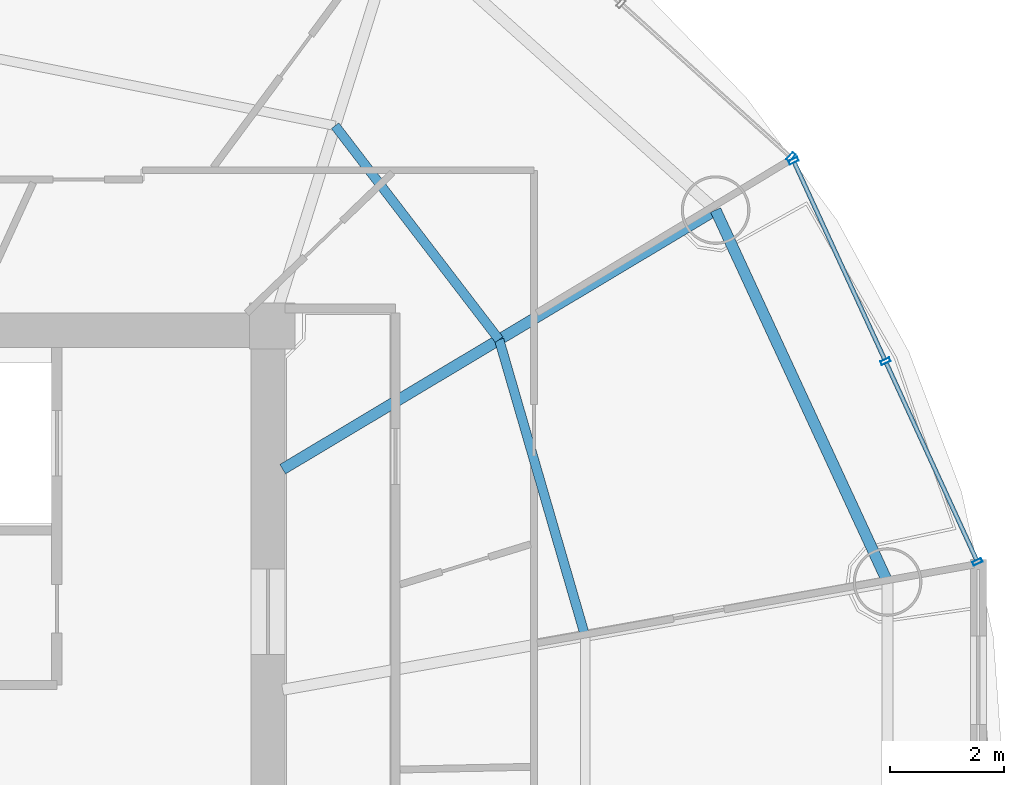
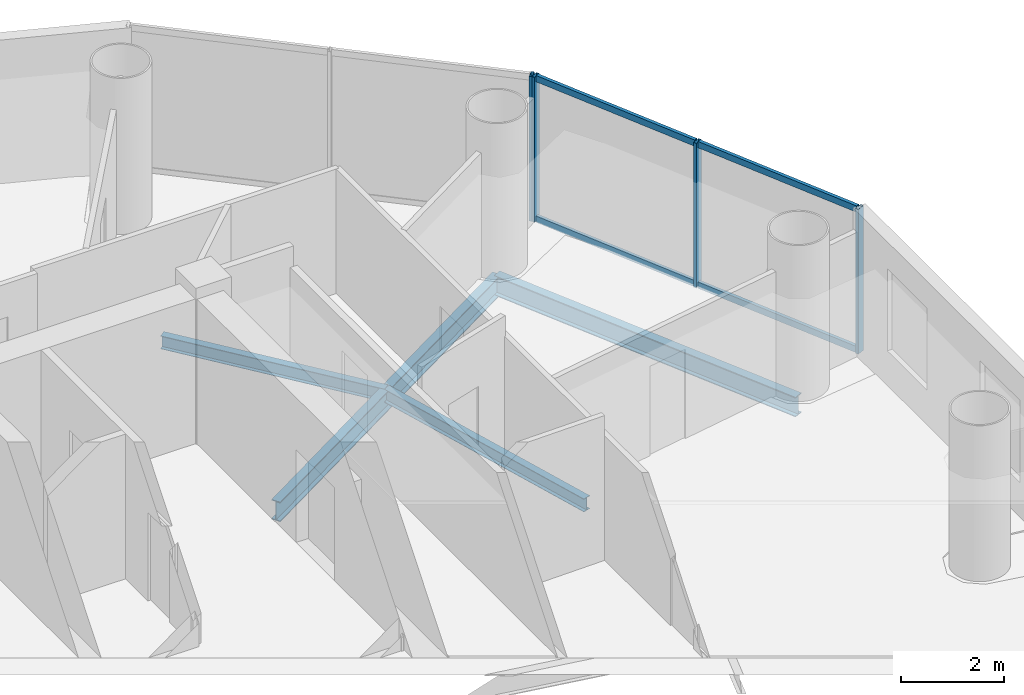
# One storey, part 13 of 26: 8 members, 4 beams, 2 elements without a shape of their own.
"""IFC4 building model written with IfcOpenShell, lengths in metres."""

from ifc_helpers import new_model, si_unit, direction, frame, origin, origin_2d, place, context, subcontext, project, spatial, hollow_rectangle, i_section, extrude, source, transform, mapped, material, material_profile, profile_set, type_object, element, aggregate, save


model = new_model("IFC4")

# Units and contexts
model_context = context("Model", 3, precision=1e-05, world=origin(), true_north=direction((-0.2419218956, 0.970295726276)))
body_context = subcontext(model_context, "Body", "Model", "MODEL_VIEW")
ifc_project = project(units=[si_unit("LENGTHUNIT", "METRE"), si_unit("AREAUNIT", "SQUARE_METRE"), si_unit("VOLUMEUNIT", "CUBIC_METRE"), si_unit("PLANEANGLEUNIT", "RADIAN"), si_unit("MASSUNIT", "GRAM", prefix="KILO")], contexts=[model_context])

# Site, building, storey
site_placement = place(None, origin())
site = spatial("IfcSite", under=ifc_project, at=site_placement, CompositionType="ELEMENT")
building_placement = place(site_placement, origin())
building = spatial("IfcBuilding", under=site, at=building_placement, Name="Cobrevalo Terracotta Tower", CompositionType="ELEMENT")
storey_placement = place(building_placement, frame((0.0, 0.0, 206.0)))
storey = spatial("IfcBuildingStorey", under=building, at=storey_placement, Name="L54", CompositionType="ELEMENT", Elevation=206.0)

# Beams
ifc_material_1 = material(Name="Steel S355", Category="steel")
ifc_material_profile_1 = material_profile(ifc_material_1, i_section(OverallWidth=0.194091796875, OverallDepth=0.468994140625, WebThickness=0.011474609375, FlangeThickness=0.0205078125, at=origin_2d()), Name="W 460x106")
ifc_profile_set_1 = profile_set([ifc_material_profile_1], Name="Steel S355")
beam_type_1 = type_object("IfcBeamType", Name="Structural Beam W 460x106 (Steel S355)", PredefinedType="BEAM", material=ifc_profile_set_1)
beam_1_placement = place(storey_placement, frame((54.754150390625, 36.828125, -0.49951171875), z_axis=(-0.858046392192, -0.513572184651, 0.0), x_axis=(0.513572184651, -0.858046392192, 0.0)))
element("IfcBeam", 1, at=beam_1_placement, inside=storey, type_object=beam_type_1, Name="L54 radial floor girder 02", PredefinedType="BEAM", context=body_context, shape_type="SweptSolid", body=[
    extrude(i_section(OverallWidth=0.194091796875, OverallDepth=0.468994140625, WebThickness=0.011474609375, FlangeThickness=0.0205078125, at=origin_2d()), origin(), (0.0, 0.0, 1.0), 8.827392578125),
])
ifc_material_profile_2 = material_profile(ifc_material_1, i_section(OverallWidth=0.1650390625, OverallDepth=0.31005859375, WebThickness=0.005859375, FlangeThickness=0.009765625, at=origin_2d()), Name="W 310x38.7")
ifc_profile_set_2 = profile_set([ifc_material_profile_2], Name="Steel S355")
beam_type_2 = type_object("IfcBeamType", Name="Structural Joist W 310x38.7 (Steel S355)", PredefinedType="JOIST", material=ifc_profile_set_2)
beam_2_placement = place(storey_placement, frame((52.471435546875, 29.378662109375, -0.419921875), z_axis=(-0.278769817131, 0.960357948401, 0.0), x_axis=(-0.960357948401, -0.278769817131, 0.0)))
element("IfcBeam", 2, at=beam_2_placement, inside=storey, type_object=beam_type_2, Name="L54 circumferential secondary floor joist 01", PredefinedType="JOIST", context=body_context, shape_type="SweptSolid", body=[
    extrude(i_section(OverallWidth=0.1650390625, OverallDepth=0.31005859375, WebThickness=0.005859375, FlangeThickness=0.009765625, at=origin_2d()), origin(), (0.0, 0.0, 1.0), 5.396484375),
])
beam_3_placement = place(storey_placement, frame((50.967041015625, 34.561279296875, -0.419921875), z_axis=(-0.608464146296, 0.793581364872, 0.0), x_axis=(-0.793581364872, -0.608464146296, 0.0)))
element("IfcBeam", 3, at=beam_3_placement, inside=storey, type_object=beam_type_2, Name="L54 circumferential secondary floor joist 02", PredefinedType="JOIST", context=body_context, shape_type="SweptSolid", body=[
    extrude(i_section(OverallWidth=0.1650390625, OverallDepth=0.31005859375, WebThickness=0.005859375, FlangeThickness=0.009765625, at=origin_2d()), origin(), (0.0, 0.0, 1.0), 4.716064453125),
])
ifc_material_profile_3 = material_profile(ifc_material_1, i_section(OverallWidth=0.194091796875, OverallDepth=0.468994140625, WebThickness=0.011474609375, FlangeThickness=0.0205078125, at=origin_2d()), Name="W 460x106")
ifc_profile_set_3 = profile_set([ifc_material_profile_3], Name="Steel S355")
beam_type_3 = type_object("IfcBeamType", Name="Structural Spandrel W 460x106 (Steel S355)", PredefinedType="SPANDREL", material=ifc_profile_set_3)
beam_4_placement = place(storey_placement, frame((57.762939453125, 30.3212890625, -0.49951171875), z_axis=(-0.419705965131, 0.907660125176, 0.0), x_axis=(-0.907660125176, -0.419705965131, 0.0)))
element("IfcBeam", 4, at=beam_4_placement, inside=storey, type_object=beam_type_3, Name="L54 perimeter ring spandrel 01", PredefinedType="SPANDREL", context=body_context, shape_type="SweptSolid", body=[
    extrude(i_section(OverallWidth=0.194091796875, OverallDepth=0.468994140625, WebThickness=0.011474609375, FlangeThickness=0.0205078125, at=origin_2d()), origin(), (0.0, 0.0, 1.0), 7.168701171875),
])

# Curtain wall, members
ifc_material_2 = material(Name="Anodized aluminium", Category="aluminium")
curtain_wall_type = type_object("IfcCurtainWallType", Name="Mid-tower high-wind unitised curtain wall CW-U2", PredefinedType="NOTDEFINED", material=ifc_material_2)
curtain_wall_1_placement = place(storey_placement, origin())
curtain_wall_1 = element("IfcCurtainWall", 5, at=curtain_wall_1_placement, inside=storey, type_object=curtain_wall_type, Name="L54 curtain wall CW-L54-S01", PredefinedType="NOTDEFINED")
ifc_material_profile_4 = material_profile(ifc_material_2, hollow_rectangle(XDim=0.074951171875, YDim=0.14990234375, WallThickness=0.00439453125, at=origin_2d()), Name="CWT 75x150")
ifc_profile_set_4 = profile_set([ifc_material_profile_4], Name="Anodized aluminium")
member_type_1 = type_object("IfcMemberType", Name="Tower unitised aluminium transom 75x150", PredefinedType="USERDEFINED", material=ifc_profile_set_4)
shared_shape_1 = source(origin(), body_context, "Body", "SweptSolid", [
    extrude(hollow_rectangle(XDim=0.074951171875, YDim=0.14990234375, WallThickness=0.00439453125, at=origin_2d()), origin(), (0.0, 0.0, 1.0), 3.780029296875),
])
member_1_placement = place(storey_placement, frame((59.318359375, 30.710205078125, 0.050048828125), z_axis=(-0.416705859352, 0.909041377926, 0.0), x_axis=(-0.909041377926, -0.416705859352, 0.0)))
member_1 = element("IfcMember", 6, at=member_1_placement, type_object=member_type_1, Name="CW-L54-S01 transom B01-T1", ObjectType="TRANSOM", PredefinedType="USERDEFINED", context=body_context, shape_type="MappedRepresentation", body=[
    mapped(shared_shape_1, transform((0.0, 0.0, 0.0), scale=1.0)),
])
member_2_placement = place(storey_placement, frame((59.318359375, 30.710205078125, 3.385009765625), z_axis=(-0.416705859352, 0.909041377926, 0.0), x_axis=(-0.909041377926, -0.416705859352, 0.0)))
member_2 = element("IfcMember", 7, at=member_2_placement, type_object=member_type_1, Name="CW-L54-S01 transom B01-T2", ObjectType="TRANSOM", PredefinedType="USERDEFINED", context=body_context, shape_type="MappedRepresentation", body=[
    mapped(shared_shape_1, transform((0.0, 0.0, 0.0), scale=1.0)),
])
member_3_placement = place(storey_placement, frame((57.709716796875, 34.218994140625, 0.050048828125), z_axis=(-0.416705859352, 0.909041377926, 0.0), x_axis=(-0.909041377926, -0.416705859352, 0.0)))
member_3 = element("IfcMember", 8, at=member_3_placement, type_object=member_type_1, Name="CW-L54-S01 transom B02-T1", ObjectType="TRANSOM", PredefinedType="USERDEFINED", context=body_context, shape_type="MappedRepresentation", body=[
    mapped(shared_shape_1, transform((0.0, 0.0, 0.0), scale=1.0)),
])
member_4_placement = place(storey_placement, frame((57.709716796875, 34.218994140625, 3.385009765625), z_axis=(-0.416705859352, 0.909041377926, 0.0), x_axis=(-0.909041377926, -0.416705859352, 0.0)))
member_4 = element("IfcMember", 9, at=member_4_placement, type_object=member_type_1, Name="CW-L54-S01 transom B02-T2", ObjectType="TRANSOM", PredefinedType="USERDEFINED", context=body_context, shape_type="MappedRepresentation", body=[
    mapped(shared_shape_1, transform((0.0, 0.0, 0.0), scale=1.0)),
])
ifc_material_profile_5 = material_profile(ifc_material_2, hollow_rectangle(XDim=0.070068359375, YDim=0.169921875, WallThickness=0.00439453125, at=origin_2d()), Name="CWM 70x170")
ifc_profile_set_5 = profile_set([ifc_material_profile_5], Name="Anodized aluminium")
member_type_2 = type_object("IfcMemberType", Name="Upper tower unitised mullion 70x170", PredefinedType="MULLION", material=ifc_profile_set_5)
shared_shape_2 = source(origin(), body_context, "Body", "SweptSolid", [
    extrude(hollow_rectangle(XDim=0.070068359375, YDim=0.169921875, WallThickness=0.00439453125, at=origin_2d()), origin(), (0.0, 0.0, 1.0), 3.43505859375),
])
member_5_placement = place(storey_placement, frame((59.3349609375, 30.673828125, 0.0), z_axis=(0.0, 0.0, 1.0), x_axis=(-0.41672507912, 0.909032567311, 0.0)))
member_5 = element("IfcMember", 10, at=member_5_placement, type_object=member_type_2, Name="CW-L54-S01 vertical mullion 01", PredefinedType="MULLION", context=body_context, shape_type="MappedRepresentation", body=[
    mapped(shared_shape_2, transform((0.0, 0.0, 0.0), scale=1.0)),
])
member_6_placement = place(storey_placement, frame((57.726318359375, 34.182861328125, 0.0), z_axis=(0.0, 0.0, 1.0), x_axis=(-0.41672507912, 0.909032567311, 0.0)))
member_6 = element("IfcMember", 11, at=member_6_placement, type_object=member_type_2, Name="CW-L54-S01 vertical mullion 02", PredefinedType="MULLION", context=body_context, shape_type="MappedRepresentation", body=[
    mapped(shared_shape_2, transform((0.0, 0.0, 0.0), scale=1.0)),
])
member_7_placement = place(storey_placement, frame((56.11767578125, 37.691650390625, 0.0), z_axis=(0.0, 0.0, 1.0), x_axis=(-0.41672507912, 0.909032567311, 0.0)))
member_7 = element("IfcMember", 12, at=member_7_placement, type_object=member_type_2, Name="CW-L54-S01 vertical mullion 03", PredefinedType="MULLION", context=body_context, shape_type="MappedRepresentation", body=[
    mapped(shared_shape_2, transform((0.0, 0.0, 0.0), scale=1.0)),
])
aggregate(curtain_wall_1, [member_5, member_6, member_7, member_1, member_2, member_3, member_4])

# Curtain wall, member
curtain_wall_2_placement = place(storey_placement, origin())
curtain_wall_2 = element("IfcCurtainWall", 13, at=curtain_wall_2_placement, inside=storey, type_object=curtain_wall_type, Name="L54 curtain wall CW-L54-S02", PredefinedType="NOTDEFINED")
member_8_placement = place(storey_placement, frame((56.071533203125, 37.7548828125, 0.0), z_axis=(0.0, 0.0, 1.0), x_axis=(-0.741987542015, 0.670413668935, 0.0)))
member_8 = element("IfcMember", 14, at=member_8_placement, type_object=member_type_2, Name="CW-L54-S02 vertical mullion 01", PredefinedType="MULLION", context=body_context, shape_type="MappedRepresentation", body=[
    mapped(shared_shape_2, transform((0.0, 0.0, 0.0), scale=1.0)),
])
aggregate(curtain_wall_2, [member_8])

save(model, "model.ifc")
